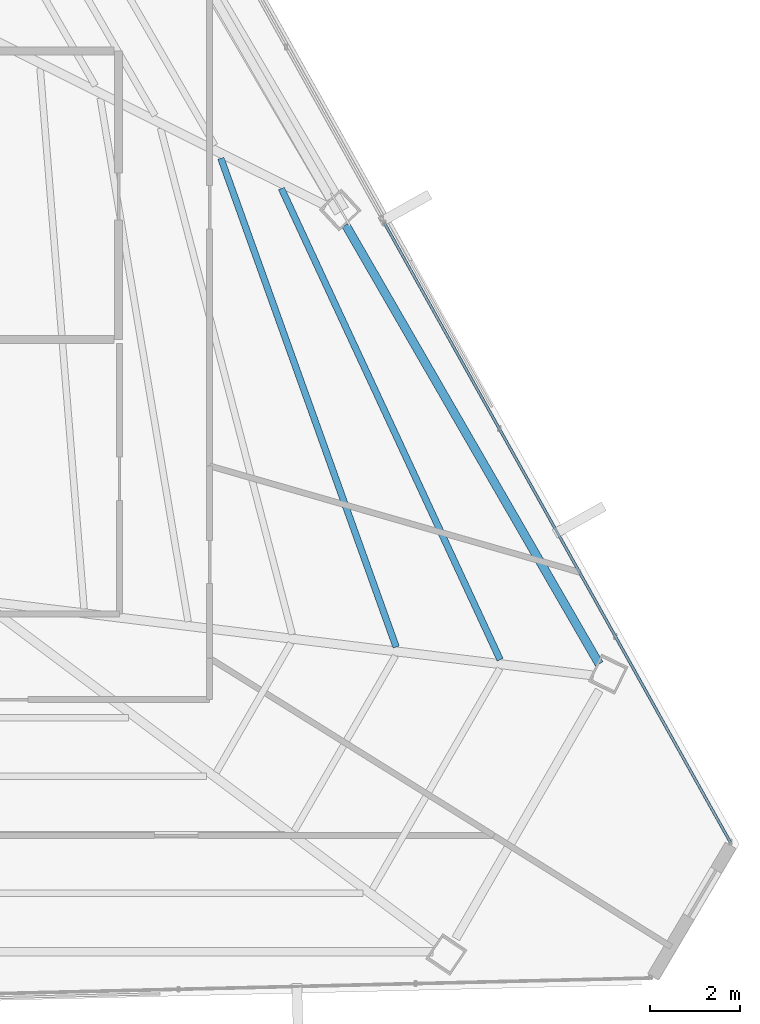
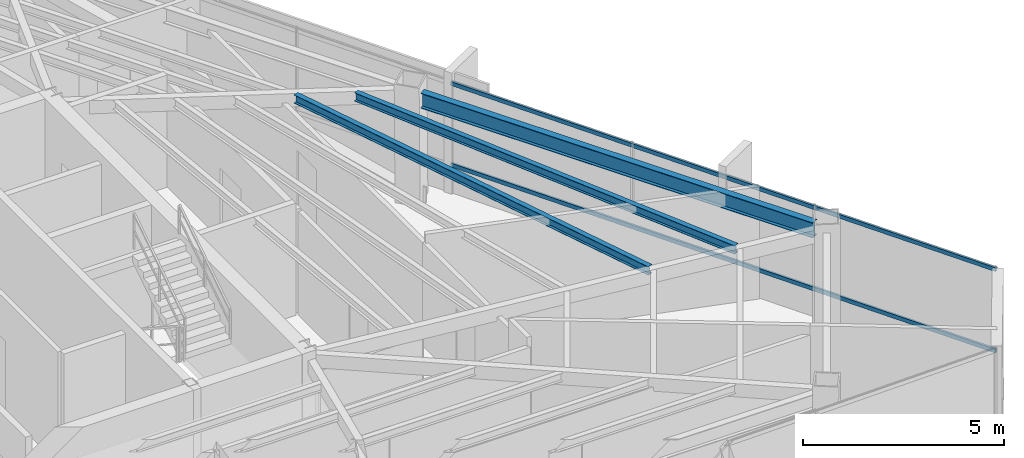
# One storey, part 24 of 45: 3 beams, 2 members, 1 element without a shape of its own.
"""IFC4 building model written with IfcOpenShell, lengths in metres."""

from ifc_helpers import new_model, si_unit, direction, frame, origin, origin_2d, place, context, subcontext, project, spatial, hollow_rectangle, i_section, extrude, source, transform, mapped, material, material_profile, profile_set, type_object, type_shapes, element, aggregate, save


model = new_model("IFC4")

# Units and contexts
model_context = context("Model", 3, precision=1e-05, world=origin(), true_north=direction((0.0, 1.0)))
body_context = subcontext(model_context, "Body", "Model", "MODEL_VIEW")
ifc_project = project(units=[si_unit("LENGTHUNIT", "METRE"), si_unit("AREAUNIT", "SQUARE_METRE"), si_unit("VOLUMEUNIT", "CUBIC_METRE"), si_unit("PLANEANGLEUNIT", "RADIAN"), si_unit("MASSUNIT", "GRAM", prefix="KILO")], contexts=[model_context])

# Site, building, storey
site_placement = place(None, origin())
site = spatial("IfcSite", under=ifc_project, at=site_placement, CompositionType="ELEMENT")
building_placement = place(site_placement, origin())
building = spatial("IfcBuilding", under=site, at=building_placement, Name="Caelisora Broadcast Tower", CompositionType="ELEMENT")
storey_placement = place(building_placement, frame((0.0, 0.0, 266.35009765625)))
storey = spatial("IfcBuildingStorey", under=building, at=storey_placement, Name="L70", CompositionType="ELEMENT", Elevation=266.35009765625)

# Beams
ifc_material_1 = material(Name="Steel Grade 350 (AS/NZS 3679.1)", Category="steel")
ifc_material_profile_1 = material_profile(ifc_material_1, i_section(OverallWidth=0.19091796875, OverallDepth=0.46044921875, WebThickness=0.010009765625, FlangeThickness=0.01611328125, at=origin_2d()), Name="Steel Grade 350 (AS/NZS 3679.1)")
ifc_profile_set_1 = profile_set([ifc_material_profile_1], Name="Steel Grade 350 (AS/NZS 3679.1)")
beam_type_1 = type_object("IfcBeamType", Name="PG06", PredefinedType="BEAM", material=ifc_profile_set_1)
shared_shape_1 = source(origin(), body_context, "Body", "SweptSolid", [
    extrude(i_section(OverallWidth=0.19091796875, OverallDepth=0.46044921875, WebThickness=0.010009765625, FlangeThickness=0.01611328125, at=origin_2d()), origin(), (0.0, 0.0, 1.0), 11.255126953125),
])
type_shapes(beam_type_1, [shared_shape_1])
beam_1_placement = place(storey_placement, frame((59.2490234375, 15.992919921875, 3.169677734375), z_axis=(-0.499988457423, 0.866032067792, 0.0), x_axis=(-0.866032067792, -0.499988457423, 0.0)))
element("IfcBeam", 1, at=beam_1_placement, inside=storey, type_object=beam_type_1, Name="L70 beam PG06", PredefinedType="BEAM", context=body_context, shape_type="MappedRepresentation", body=[
    mapped(shared_shape_1, transform((0.0, 0.0, 0.0), scale=1.0)),
])
ifc_material_profile_2 = material_profile(ifc_material_1, i_section(OverallWidth=0.14599609375, OverallDepth=0.256103515625, WebThickness=0.00634765625, FlangeThickness=0.010986328125, at=origin_2d()), Name="Steel Grade 350 (AS/NZS 3679.1)")
ifc_profile_set_2 = profile_set([ifc_material_profile_2], Name="Steel Grade 350 (AS/NZS 3679.1)")
beam_type_2 = type_object("IfcBeamType", Name="SB04", PredefinedType="JOIST", material=ifc_profile_set_2)
shared_shape_2 = source(origin(), body_context, "Body", "SweptSolid", [
    extrude(i_section(OverallWidth=0.14599609375, OverallDepth=0.256103515625, WebThickness=0.00634765625, FlangeThickness=0.010986328125, at=origin_2d()), origin(), (0.0, 0.0, 1.0), 11.5361328125),
])
beam_2_placement = place(storey_placement, frame((57.050048828125, 16.08740234375, 3.271728515625), z_axis=(-0.420993785476, 0.907063521806, 0.0), x_axis=(-0.907063521806, -0.420993785476, 0.0)))
element("IfcBeam", 2, at=beam_2_placement, inside=storey, type_object=beam_type_2, Name="L70 beam SB04", PredefinedType="JOIST", context=body_context, shape_type="MappedRepresentation", body=[
    mapped(shared_shape_2, transform((0.0, 0.0, 0.0), scale=1.0)),
])
shared_shape_3 = source(origin(), body_context, "Body", "SweptSolid", [
    extrude(i_section(OverallWidth=0.14599609375, OverallDepth=0.256103515625, WebThickness=0.00634765625, FlangeThickness=0.010986328125, at=origin_2d()), origin(), (0.0, 0.0, 1.0), 11.52978515625),
])
type_shapes(beam_type_2, [shared_shape_2, shared_shape_3])
beam_3_placement = place(storey_placement, frame((54.741943359375, 16.369140625, 3.271728515625), z_axis=(-0.337592991662, 0.941292182046, 0.0), x_axis=(-0.941292182046, -0.337592991662, 0.0)))
element("IfcBeam", 3, at=beam_3_placement, inside=storey, type_object=beam_type_2, Name="L70 beam SB04", PredefinedType="JOIST", context=body_context, shape_type="MappedRepresentation", body=[
    mapped(shared_shape_3, transform((0.0, 0.0, 0.0), scale=1.0)),
])

# Curtain wall, members
ifc_material_2 = material(Name="Unitised Aluminium and Low-E Glass Curtain Wall", Category="glass")
curtain_wall_type = type_object("IfcCurtainWallType", Name="CW-Z5", PredefinedType="NOTDEFINED", material=ifc_material_2)
curtain_wall_placement = place(storey_placement, origin())
curtain_wall = element("IfcCurtainWall", 4, at=curtain_wall_placement, inside=storey, type_object=curtain_wall_type, Name="L70 curtain wall CW-Z5", PredefinedType="NOTDEFINED")
ifc_material_3 = material(Name="Aluminium 6063-T6 Anodised Terracotta Bronze", Category="aluminium")
ifc_material_profile_3 = material_profile(ifc_material_3, hollow_rectangle(XDim=0.06005859375, YDim=0.1201171875, WallThickness=0.0029296875, at=origin_2d()), Name="Aluminium 6063-T6 Anodised Terracotta Bronze")
ifc_profile_set_3 = profile_set([ifc_material_profile_3], Name="Aluminium 6063-T6 Anodised Terracotta Bronze")
member_type = type_object("IfcMemberType", Name="CWT-03", PredefinedType="USERDEFINED", material=ifc_profile_set_3)
shared_shape_4 = source(origin(), body_context, "Body", "SweptSolid", [
    extrude(hollow_rectangle(XDim=0.06005859375, YDim=0.1201171875, WallThickness=0.0029296875, at=origin_2d()), origin(), (0.0, 0.0, 1.0), 15.756103515625),
])
type_shapes(member_type, [shared_shape_4])
member_1_placement = place(storey_placement, frame((54.476806640625, 25.7890625, 0.849853515625), z_axis=(0.487797742184, -0.872956678605, 0.0), x_axis=(0.872956678605, 0.487797742184, 0.0)))
member_1 = element("IfcMember", 5, at=member_1_placement, type_object=member_type, Name="L70-CW-B03 transom #1", ObjectType="TRANSOM", PredefinedType="USERDEFINED", context=body_context, shape_type="MappedRepresentation", body=[
    mapped(shared_shape_4, transform((0.0, 0.0, 0.0), scale=1.0)),
])
member_2_placement = place(storey_placement, frame((54.476806640625, 25.7890625, 3.31982421875), z_axis=(0.487797742184, -0.872956678605, 0.0), x_axis=(0.872956678605, 0.487797742184, 0.0)))
member_2 = element("IfcMember", 6, at=member_2_placement, type_object=member_type, Name="L70-CW-B03 transom #2", ObjectType="TRANSOM", PredefinedType="USERDEFINED", context=body_context, shape_type="MappedRepresentation", body=[
    mapped(shared_shape_4, transform((0.0, 0.0, 0.0), scale=1.0)),
])
aggregate(curtain_wall, [member_1, member_2])

save(model, "model.ifc")
